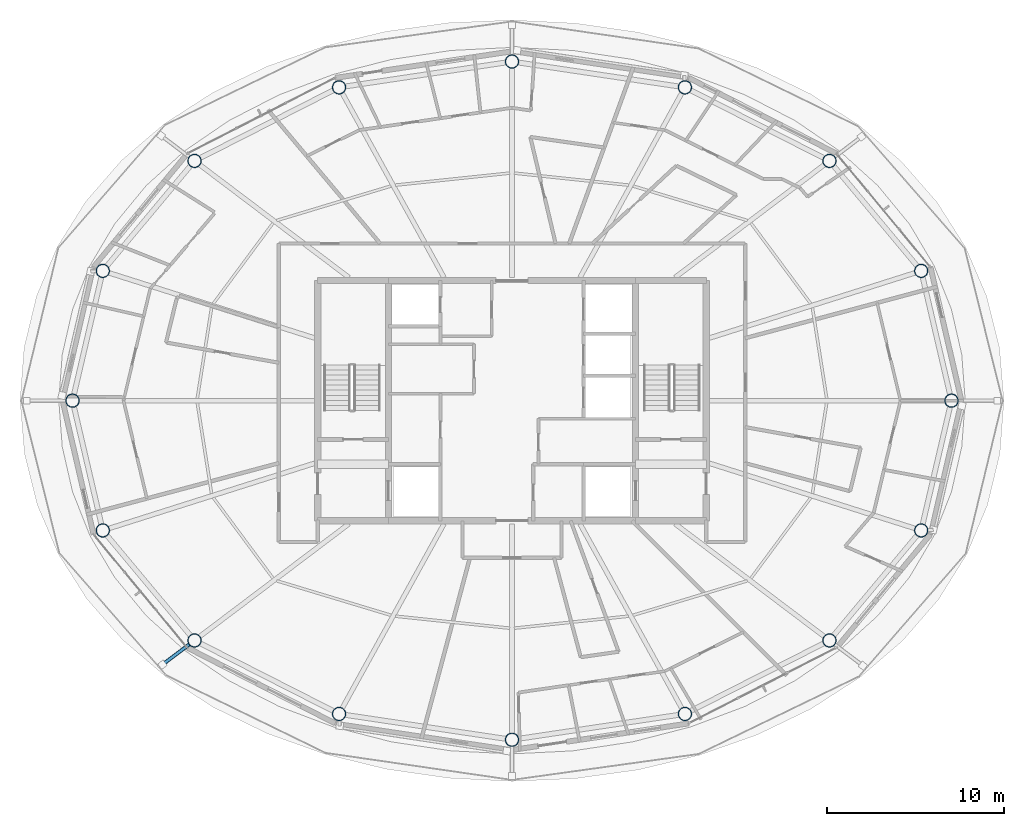
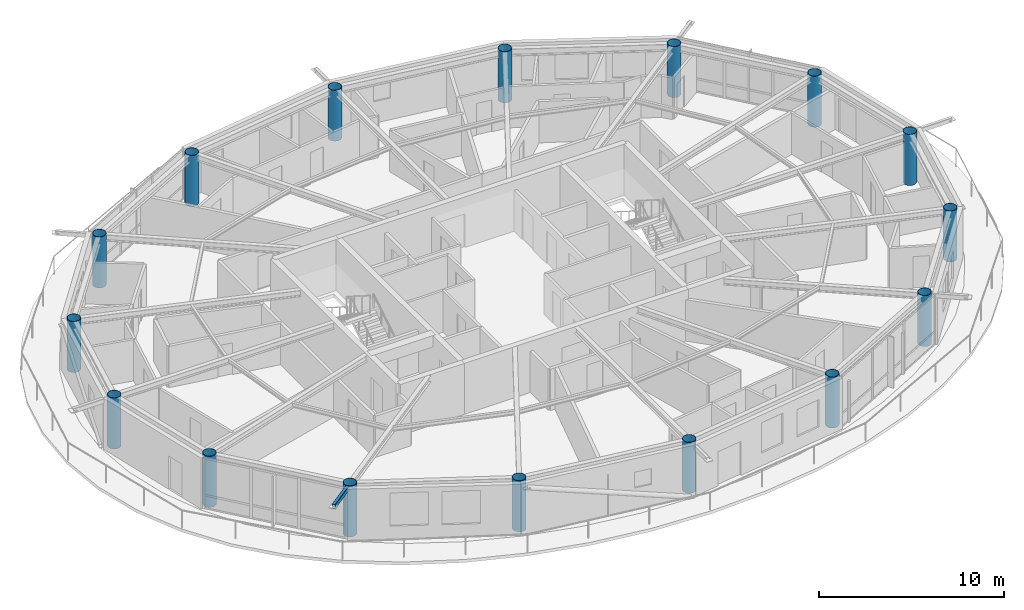
# One storey, part 1 of 23: 16 columns, 1 member.
"""IFC4 building model written with IfcOpenShell, lengths in metres."""

from ifc_helpers import new_model, si_unit, direction, frame, origin, origin_2d, place, context, subcontext, project, spatial, hollow_rectangle, hollow_circle, extrude, material, material_profile, profile_set, type_object, element, save


model = new_model("IFC4")

# Units and contexts
model_context = context("Model", 3, precision=1e-05, world=origin(), true_north=direction((0.0, 1.0)))
body_context = subcontext(model_context, "Body", "Model", "MODEL_VIEW")
ifc_project = project(units=[si_unit("LENGTHUNIT", "METRE"), si_unit("AREAUNIT", "SQUARE_METRE"), si_unit("VOLUMEUNIT", "CUBIC_METRE"), si_unit("PLANEANGLEUNIT", "RADIAN"), si_unit("MASSUNIT", "GRAM", prefix="KILO")], contexts=[model_context])

# Site, building, storey
site_placement = place(None, origin())
site = spatial("IfcSite", under=ifc_project, at=site_placement, CompositionType="ELEMENT")
building_placement = place(site_placement, origin())
building = spatial("IfcBuilding", under=site, at=building_placement, Name="Sarneth Arch Tower", CompositionType="ELEMENT")
storey_placement = place(building_placement, frame((0.0, 0.0, 269.39990234375)))
storey = spatial("IfcBuildingStorey", under=building, at=storey_placement, Name="L69", CompositionType="ELEMENT", Elevation=269.39990234375)

# Columns
ifc_material_1 = material(Name="Steel S355", Category="steel")
ifc_material_profile_1 = material_profile(ifc_material_1, hollow_circle(Radius=0.381103515625, WallThickness=0.02490234375, at=origin_2d()), Name="CHS762x25")
ifc_profile_set_1 = profile_set([ifc_material_profile_1], Name="Steel S355")
column_type = type_object("IfcColumnType", Name="COL-MEGA-762", PredefinedType="COLUMN", material=ifc_profile_set_1)
for number, where, z_axis, x_axis, name in (
    (1, (72.88330078125, 42.0, 0.0), (0.0, 0.0, 1.0), (1.0, 0.0, 0.0), "L69 Perimeter mega-column M01"),
    (2, (71.1689453125, 49.347412109375, 0.0), (0.0, 0.0, 1.0), (1.0, 0.0, 0.0), "L69 Perimeter mega-column M02"),
    (3, (65.975341796875, 55.576416015625, 0.0), (0.0, 0.0, 1.0), (1.0, 0.0, 0.0), "L69 Perimeter mega-column M03"),
    (4, (57.790771484375, 59.738525390625, 0.0), (0.0, 0.0, 1.0), (1.0, 0.0, 0.0), "L69 Perimeter mega-column M04"),
    (5, (48.0, 61.199951171875, 0.0), (0.0, 0.0, 1.0), (1.0, 0.0, 0.0), "L69 Perimeter mega-column M05"),
    (6, (38.209228515625, 59.738525390625, 0.0), (0.0, 0.0, 1.0), (1.0, 0.0, 0.0), "L69 Perimeter mega-column M06"),
    (7, (30.024658203125, 55.576416015625, 0.0), (0.0, 0.0, 1.0), (1.0, 0.0, 0.0), "L69 Perimeter mega-column M07"),
    (8, (24.8310546875, 49.347412109375, 0.0), (0.0, 0.0, 1.0), (1.0, 0.0, 0.0), "L69 Perimeter mega-column M08"),
    (9, (23.11669921875, 42.0, 0.0), (0.0, 0.0, 1.0), (1.0, 0.0, 0.0), "L69 Perimeter mega-column M09"),
    (10, (24.8310546875, 34.652587890625, 0.0), (0.0, 0.0, 1.0), (1.0, 0.0, 0.0), "L69 Perimeter mega-column M10"),
    (11, (30.024658203125, 28.423583984375, 0.0), (0.0, 0.0, 1.0), (1.0, 0.0, 0.0), "L69 Perimeter mega-column M11"),
    (12, (38.209228515625, 24.261474609375, 0.0), (0.0, 0.0, 1.0), (1.0, 0.0, 0.0), "L69 Perimeter mega-column M12"),
    (13, (48.0, 22.800048828125, 0.0), (0.0, 0.0, 1.0), (1.0, 0.0, 0.0), "L69 Perimeter mega-column M13"),
    (14, (57.790771484375, 24.261474609375, 0.0), (0.0, 0.0, 1.0), (1.0, 0.0, 0.0), "L69 Perimeter mega-column M14"),
    (15, (65.975341796875, 28.423583984375, 0.0), (0.0, 0.0, 1.0), (1.0, 0.0, 0.0), "L69 Perimeter mega-column M15"),
    (16, (71.1689453125, 34.652587890625, 0.0), (0.0, 0.0, 1.0), (1.0, 0.0, 0.0), "L69 Perimeter mega-column M16"),
):
    element("IfcColumn", number, at=place(storey_placement, frame(where, z_axis=z_axis, x_axis=x_axis)), inside=storey, type_object=column_type, Name=name, PredefinedType="COLUMN", context=body_context, shape_type="SweptSolid", body=[
        extrude(hollow_circle(Radius=0.381103515625, WallThickness=0.02490234375, at=origin_2d()), origin(), (0.0, 0.0, 1.0), 3.3701171875),
    ])

# Member
ifc_material_2 = material(Name="Steel S355", Category="steel")
ifc_material_profile_2 = material_profile(ifc_material_2, hollow_rectangle(XDim=0.199951171875, YDim=0.300048828125, WallThickness=0.012451171875, InnerFilletRadius=0.018798828125, OuterFilletRadius=0.03125, at=origin_2d()), Name="RHS300x200x12.5")
ifc_profile_set_2 = profile_set([ifc_material_profile_2], Name="Steel S355")
member_type = type_object("IfcMemberType", Name="MEM-CANT-STRUT", PredefinedType="STRUT", material=ifc_profile_set_2)
member_placement = place(storey_placement, frame((29.720703125, 28.19384765625, 3.210205078125), z_axis=(-0.79798703151, -0.602674619958, 0.0), x_axis=(0.602674619958, -0.79798703151, 0.0)))
element("IfcMember", 17, at=member_placement, inside=storey, type_object=member_type, Name="L69 Balcony cantilever bracket 11", PredefinedType="STRUT", context=body_context, shape_type="SweptSolid", body=[
    extrude(hollow_rectangle(XDim=0.199951171875, YDim=0.300048828125, WallThickness=0.012451171875, InnerFilletRadius=0.018798828125, OuterFilletRadius=0.03125, at=origin_2d()), origin(), (0.0, 0.0, 1.0), 1.896240234375),
])

save(model, "model.ifc")
